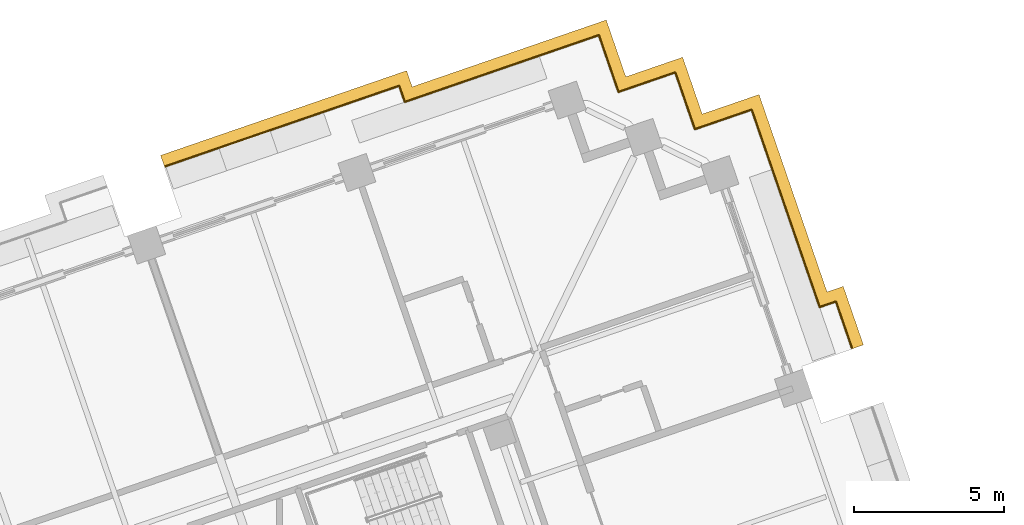
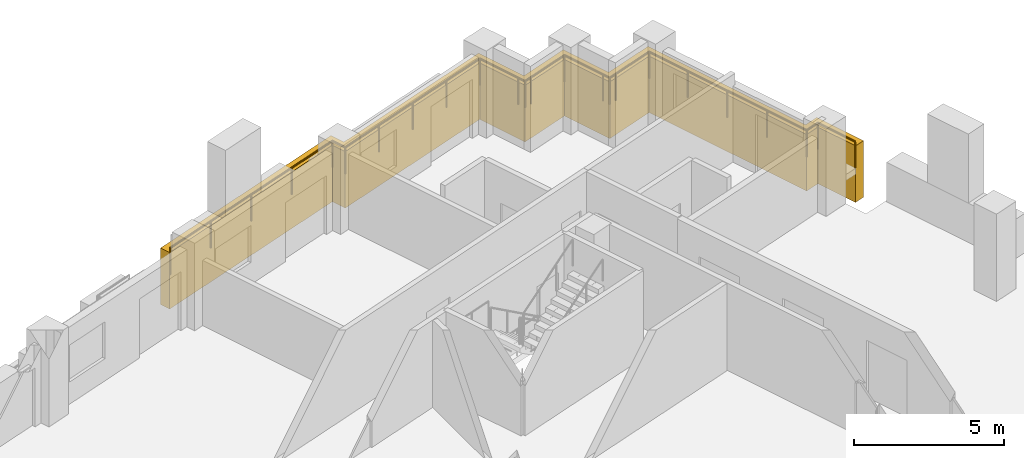
# One storey, part 18 of 19: 2 railings, 1 covering.
"""IFC4 building model written with IfcOpenShell, lengths in metres."""

import ifcopenshell
import ifcopenshell.guid

model = None  # the IFC model being written
_history = None  # IfcOwnerHistory: only IFC2X3 demands one
_inside = {}  # id of a spatial element -> (the spatial element, [elements in it])
_under = {}  # id of a project, library or spatial element -> (it, [spatial elements below it])
_declared = {}  # id of a project -> (the project, [libraries it declares])
_typed = {}  # id of a type object -> (the type object, [elements of that type])
_made_of = {}  # id of a material, layer set ... -> (it, [elements and type objects made of it])


def new_model(schema):
    """Start an empty IFC model of exactly this schema.

    Asked for "IFC4X3", IfcOpenShell would pick the latest addendum, in which some entities
    have other attributes; the version numbers below select the first issue.
    IFC2X3 requires an IfcOwnerHistory on every rooted entity: one is made here for all.
    """
    global model, _history
    if schema == "IFC4X3":
        model = ifcopenshell.file(schema_version=(4, 3, 0, 0))
    else:
        model = ifcopenshell.file(schema=schema)
    _inside.clear()
    _under.clear()
    _declared.clear()
    _typed.clear()
    _made_of.clear()
    _history = None
    if model.schema == "IFC2X3":
        org = make("IfcOrganization", Name="unknown")
        user = make(
            "IfcPersonAndOrganization",
            ThePerson=make("IfcPerson", FamilyName="unknown"),
            TheOrganization=org,
        )
        app = make(
            "IfcApplication",
            ApplicationDeveloper=org,
            Version="unknown",
            ApplicationFullName="unknown",
            ApplicationIdentifier="unknown",
        )
        _history = make(
            "IfcOwnerHistory",
            OwningUser=user,
            OwningApplication=app,
            ChangeAction="ADDED",
            CreationDate=0,
        )
    return model


def make(cls, **values):
    """One entity of the class cls with the attributes given. An attribute that is None is left unset."""
    return model.create_entity(
        cls, **{name: value for name, value in values.items() if value is not None}
    )


def rooted(cls, **values):
    """An entity with a GlobalId (a new one), such as an element, a storey or a relation."""
    return make(cls, GlobalId=ifcopenshell.guid.new(), OwnerHistory=_history, **values)


def si_unit(unit_type, name, prefix=None):
    """IfcSIUnit, for example si_unit("LENGTHUNIT", "METRE", prefix="MILLI")."""
    return make("IfcSIUnit", UnitType=unit_type, Prefix=prefix, Name=name)


def assignment(units):
    """IfcUnitAssignment: the units of a project."""
    return None if units is None else make("IfcUnitAssignment", Units=units)


def point(xyz):
    """IfcCartesianPoint."""
    return None if xyz is None else make("IfcCartesianPoint", Coordinates=xyz)


def direction(xyz):
    """IfcDirection."""
    return None if xyz is None else make("IfcDirection", DirectionRatios=xyz)


def frame(location, z_axis=None, x_axis=None):
    """IfcAxis2Placement3D, a coordinate frame: its origin and axes. An axis left out is left unset."""
    return make(
        "IfcAxis2Placement3D",
        Location=point(location),
        Axis=direction(z_axis),
        RefDirection=direction(x_axis),
    )


def frame_2d(location, x_axis=None):
    """IfcAxis2Placement2D, a coordinate frame in the plane: its origin and x axis."""
    return make(
        "IfcAxis2Placement2D", Location=point(location), RefDirection=direction(x_axis)
    )


def origin():
    """The frame at (0, 0, 0) with its axes left unset."""
    return frame((0.0, 0.0, 0.0))


def origin_2d():
    """The frame at (0, 0) in the plane with its x axis left unset."""
    return frame_2d((0.0, 0.0))


def place(relative_to, where):
    """IfcLocalPlacement: puts the frame where relative to a parent placement (None: the world)."""
    return make(
        "IfcLocalPlacement", PlacementRelTo=relative_to, RelativePlacement=where
    )


def context(
    kind, dimensions, precision=None, world=None, true_north=None, identifier=None
):
    """IfcGeometricRepresentationContext, for example the 3D "Model" context."""
    return make(
        "IfcGeometricRepresentationContext",
        ContextIdentifier=identifier,
        ContextType=kind,
        CoordinateSpaceDimension=dimensions,
        Precision=precision,
        WorldCoordinateSystem=world,
        TrueNorth=true_north,
    )


def subcontext(parent, identifier, kind, view, scale=None):
    """IfcGeometricRepresentationSubContext, for example "Body" below "Model"."""
    return make(
        "IfcGeometricRepresentationSubContext",
        ContextIdentifier=identifier,
        ContextType=kind,
        ParentContext=parent,
        TargetScale=scale,
        TargetView=view,
    )


def project(units=None, contexts=None):
    """IfcProject with its units and contexts."""
    return rooted(
        "IfcProject",
        Name="project",
        RepresentationContexts=contexts,
        UnitsInContext=assignment(units),
    )


def spatial(cls, under=None, at=None, **own):
    """A site, building, storey or space (cls), placed at a placement, below another one or the project."""
    s = rooted(cls, ObjectPlacement=at, **own)
    if under is not None:
        _under.setdefault(under.id(), (under, []))[1].append(s)
    return s


def polyline(points):
    """IfcPolyline through the points."""
    return make("IfcPolyline", Points=[point(p) for p in points])


def profile(cls, at=None, kind="AREA", **sizes):
    """A parametric profile (cls). Its sizes go by their IFC names, for example OverallWidth=200.0."""
    return make(cls, ProfileType=kind, Position=at, **sizes)


def circle(**sizes):
    """IfcCircleProfileDef."""
    return profile("IfcCircleProfileDef", **sizes)


def outline(outer, holes=None, kind="AREA"):
    """IfcArbitraryClosedProfileDef: a profile drawn as a closed curve; with holes, ...WithVoids."""
    if holes is None:
        return make("IfcArbitraryClosedProfileDef", ProfileType=kind, OuterCurve=outer)
    return make(
        "IfcArbitraryProfileDefWithVoids",
        ProfileType=kind,
        OuterCurve=outer,
        InnerCurves=holes,
    )


def extrude(swept, where, along, depth):
    """IfcExtrudedAreaSolid: the profile swept, set in the frame where, extruded along a direction by depth."""
    return make(
        "IfcExtrudedAreaSolid",
        SweptArea=swept,
        Position=where,
        ExtrudedDirection=direction(along),
        Depth=depth,
    )


def shape(context_of_items, identifier, shape_type, items):
    """IfcShapeRepresentation: the items that make up one representation, for example the "Body"."""
    return make(
        "IfcShapeRepresentation",
        ContextOfItems=context_of_items,
        RepresentationIdentifier=identifier,
        RepresentationType=shape_type,
        Items=items,
    )


def material(Name=None, Category=None):
    """IfcMaterial."""
    return make("IfcMaterial", Name=Name, Category=Category)


def made_of(thing, what):
    """Note that an element or type object is made of a material, layer set ...; save() writes the relation."""
    if what is not None:
        _made_of.setdefault(what.id(), (what, []))[1].append(thing)
    return thing


def type_object(cls, material=None, **own):
    """A type object (cls), such as IfcWallType, which elements share."""
    return made_of(rooted(cls, **own), material)


def element(
    cls,
    number,
    at=None,
    inside=None,
    cuts=None,
    type_object=None,
    material=None,
    context=None,
    identifier="Body",
    shape_type=None,
    held_by="IfcProductDefinitionShape",
    body=None,
    shapes=None,
    **own,
):
    """One element of the class cls, such as IfcWall. Its Tag is "e" and its number.

    at: its placement. inside: the storey or other place that contains it. cuts: it is an
    opening in that element (IfcRelVoidsElement). A single representation is given by context,
    identifier, shape_type and body (its items); several are given by shapes. held_by: the class
    of the entity that holds the representations. save() writes the other relations.
    """
    e = rooted(cls, Tag="e%d" % number, ObjectPlacement=at, **own)
    if body is not None:
        shapes = [shape(context, identifier, shape_type, body)]
    if shapes is not None:
        e.Representation = make(held_by, Representations=shapes)
    if inside is not None:
        _inside.setdefault(inside.id(), (inside, []))[1].append(e)
    if cuts is not None:
        rooted(
            "IfcRelVoidsElement", RelatingBuildingElement=cuts, RelatedOpeningElement=e
        )
    if type_object is not None:
        _typed.setdefault(type_object.id(), (type_object, []))[1].append(e)
    return made_of(e, material)


def aggregate(whole, parts):
    """IfcRelAggregates: a whole, such as a stair, and the parts it consists of."""
    return rooted("IfcRelAggregates", RelatingObject=whole, RelatedObjects=parts)


def save(model, path):
    """Write the relations noted so far, then the file.

    IfcRelAggregates (storeys below a building ...), IfcRelContainedInSpatialStructure (elements
    in a storey), IfcRelDefinesByType, IfcRelAssociatesMaterial and IfcRelDeclares: one each for
    every whole, place, type object, material and project.
    """
    for whole, parts in _under.values():
        aggregate(whole, parts)
    for where, things in _inside.values():
        rooted(
            "IfcRelContainedInSpatialStructure",
            RelatedElements=things,
            RelatingStructure=where,
        )
    for kind, things in _typed.values():
        rooted("IfcRelDefinesByType", RelatedObjects=things, RelatingType=kind)
    for what, things in _made_of.values():
        rooted("IfcRelAssociatesMaterial", RelatedObjects=things, RelatingMaterial=what)
    for by, libraries in _declared.values():
        rooted("IfcRelDeclares", RelatingContext=by, RelatedDefinitions=libraries)
    model.write(path)


model = new_model("IFC4")

# Units and contexts
model_context = context("Model", 3, precision=1e-05, world=origin(), true_north=direction((0.0, 1.0)))
body_context = subcontext(model_context, "Body", "Model", "MODEL_VIEW")
ifc_project = project(units=[si_unit("LENGTHUNIT", "METRE"), si_unit("AREAUNIT", "SQUARE_METRE"), si_unit("VOLUMEUNIT", "CUBIC_METRE"), si_unit("PLANEANGLEUNIT", "RADIAN"), si_unit("MASSUNIT", "GRAM", prefix="KILO")], contexts=[model_context])

# Site, building, storey
site_placement = place(None, origin())
site = spatial("IfcSite", under=ifc_project, at=site_placement, CompositionType="ELEMENT")
building_placement = place(site_placement, origin())
building = spatial("IfcBuilding", under=site, at=building_placement, Name="Cantera Rosa Tower", CompositionType="ELEMENT")
storey_placement = place(building_placement, frame((0.0, 0.0, 123.10009765625)))
storey = spatial("IfcBuildingStorey", under=building, at=storey_placement, Name="L25", CompositionType="ELEMENT", Elevation=123.10009765625)

# Railings
ifc_material_1 = material(Name="Stainless steel and laminated glass", Category="steel")
railing_type = type_object("IfcRailingType", Name="GUARD 1100", PredefinedType="BALUSTRADE", material=ifc_material_1)
railing_1_placement = place(storey_placement, frame((19.705810546875, 28.466552734375, 0.0)))
element("IfcRailing", 1, at=railing_1_placement, inside=storey, type_object=railing_type, Name="GUARD L25-13", PredefinedType="BALUSTRADE", context=body_context, shape_type="SweptSolid", body=[
    extrude(circle(Radius=0.030029296875, at=origin_2d()), frame((0.0, 0.0, 1.070068359375), z_axis=(0.325561349174, -0.945520918819, 0.0), x_axis=(0.945520918819, 0.325561349174, 0.0)), (0.0, 0.0, 1.0), 1.699951171875),
    extrude(circle(Radius=0.030029296875, at=origin_2d()), frame((0.553466796875, -1.607421875, 1.070068359375), z_axis=(0.325547706926, -0.945525616002, 0.0), x_axis=(0.945525616002, 0.325547706926, 0.0)), (0.0, 0.0, 1.0), 5.248779296875),
    extrude(circle(Radius=0.030029296875, at=origin_2d()), frame((2.26220703125, -6.5703125, 1.070068359375), z_axis=(0.945518182111, 0.325569297229, 0.0), x_axis=(-0.325569297229, 0.945518182111, 0.0)), (0.0, 0.0, 1.0), 0.571533203125),
    extrude(circle(Radius=0.030029296875, at=origin_2d()), frame((2.802490234375, -6.38427734375, 1.070068359375), z_axis=(0.325495496573, -0.945543590593, 0.0), x_axis=(0.945543590593, 0.325495496573, 0.0)), (0.0, 0.0, 1.0), 1.64111328125),
    extrude(circle(Radius=0.02490234375, at=origin_2d()), origin(), (0.0, 0.0, 1.0), 1.0400390625),
    extrude(circle(Radius=0.02490234375, at=origin_2d()), frame((0.553466796875, -1.607421875, 0.0)), (0.0, 0.0, 1.0), 1.0400390625),
    extrude(circle(Radius=0.02490234375, at=origin_2d()), frame((1.123046875, -3.26171875, 0.0)), (0.0, 0.0, 1.0), 1.0400390625),
    extrude(circle(Radius=0.02490234375, at=origin_2d()), frame((1.692626953125, -4.916015625, 0.0)), (0.0, 0.0, 1.0), 1.0400390625),
    extrude(circle(Radius=0.02490234375, at=origin_2d()), frame((2.26220703125, -6.5703125, 0.0)), (0.0, 0.0, 1.0), 1.0400390625),
    extrude(circle(Radius=0.02490234375, at=origin_2d()), frame((2.802490234375, -6.38427734375, 0.0)), (0.0, 0.0, 1.0), 1.0400390625),
    extrude(circle(Radius=0.02490234375, at=origin_2d()), frame((3.336669921875, -7.93603515625, 0.0)), (0.0, 0.0, 1.0), 1.0400390625),
])
railing_2_placement = place(storey_placement, frame((0.187255859375, 26.57763671875, 0.0)))
element("IfcRailing", 2, at=railing_2_placement, inside=storey, type_object=railing_type, Name="GUARD L25-14", PredefinedType="BALUSTRADE", context=body_context, shape_type="SweptSolid", body=[
    extrude(circle(Radius=0.030029296875, at=origin_2d()), frame((0.0, 0.0, 1.070068359375), z_axis=(0.945522782274, 0.325555937132, 0.0), x_axis=(-0.325555937132, 0.945522782274, 0.0)), (0.0, 0.0, 1.0), 8.238525390625),
    extrude(circle(Radius=0.030029296875, at=origin_2d()), frame((7.789794921875, 2.68212890625, 1.070068359375), z_axis=(0.325871596129, -0.945414037782, 0.0), x_axis=(0.945414037782, 0.325871596129, 0.0)), (0.0, 0.0, 1.0), 0.568603515625),
    extrude(circle(Radius=0.030029296875, at=origin_2d()), frame((7.97509765625, 2.14453125, 1.070068359375), z_axis=(0.945515978241, 0.325575697635, 0.0), x_axis=(-0.325575697635, 0.945515978241, 0.0)), (0.0, 0.0, 1.0), 5.13134765625),
    extrude(circle(Radius=0.030029296875, at=origin_2d()), frame((12.826904296875, 3.815185546875, 1.070068359375), z_axis=(0.945520918819, 0.325561349174, 0.0), x_axis=(-0.325561349174, 0.945520918819, 0.0)), (0.0, 0.0, 1.0), 1.699951171875),
    extrude(circle(Radius=0.030029296875, at=origin_2d()), frame((14.434326171875, 4.36865234375, 1.070068359375), z_axis=(0.325561349174, -0.945520918819, 0.0), x_axis=(0.945520918819, 0.325561349174, 0.0)), (0.0, 0.0, 1.0), 1.699951171875),
    extrude(circle(Radius=0.030029296875, at=origin_2d()), frame((14.98779296875, 2.76123046875, 1.070068359375), z_axis=(0.325489086777, -0.945545797087, 0.0), x_axis=(0.945545797087, 0.325489086777, 0.0)), (0.0, 0.0, 1.0), 0.300048828125),
    extrude(circle(Radius=0.030029296875, at=origin_2d()), frame((15.08544921875, 2.4775390625, 1.070068359375), z_axis=(0.945459489149, 0.325739703411, 0.0), x_axis=(-0.325739703411, 0.945459489149, 0.0)), (0.0, 0.0, 1.0), 0.2998046875),
    extrude(circle(Radius=0.030029296875, at=origin_2d()), frame((15.368896484375, 2.5751953125, 1.070068359375), z_axis=(0.945520918819, 0.325561349174, 0.0), x_axis=(-0.325561349174, 0.945520918819, 0.0)), (0.0, 0.0, 1.0), 1.699951171875),
    extrude(circle(Radius=0.030029296875, at=origin_2d()), frame((16.976318359375, 3.128662109375, 1.070068359375), z_axis=(0.325605561237, -0.945505694584, 0.0), x_axis=(0.945505694584, 0.325605561237, 0.0)), (0.0, 0.0, 1.0), 1.69970703125),
    extrude(circle(Radius=0.030029296875, at=origin_2d()), frame((17.52978515625, 1.521484375, 1.070068359375), z_axis=(0.325489086777, -0.945545797087, 0.0), x_axis=(0.945545797087, 0.325489086777, 0.0)), (0.0, 0.0, 1.0), 0.300048828125),
    extrude(circle(Radius=0.030029296875, at=origin_2d()), frame((17.62744140625, 1.23779296875, 1.070068359375), z_axis=(0.945545797087, 0.325489086777, 0.0), x_axis=(-0.325489086777, 0.945545797087, 0.0)), (0.0, 0.0, 1.0), 0.300048828125),
    extrude(circle(Radius=0.030029296875, at=origin_2d()), frame((17.9111328125, 1.33544921875, 1.070068359375), z_axis=(0.945520918819, 0.325561349174, 0.0), x_axis=(-0.325561349174, 0.945520918819, 0.0)), (0.0, 0.0, 1.0), 1.699951171875),
    extrude(circle(Radius=0.02490234375, at=origin_2d()), origin(), (0.0, 0.0, 1.0), 1.0400390625),
    extrude(circle(Radius=0.02490234375, at=origin_2d()), frame((1.947509765625, 0.67041015625, 0.0)), (0.0, 0.0, 1.0), 1.0400390625),
    extrude(circle(Radius=0.02490234375, at=origin_2d()), frame((3.89501953125, 1.341064453125, 0.0)), (0.0, 0.0, 1.0), 1.0400390625),
    extrude(circle(Radius=0.02490234375, at=origin_2d()), frame((5.84228515625, 2.01171875, 0.0)), (0.0, 0.0, 1.0), 1.0400390625),
    extrude(circle(Radius=0.02490234375, at=origin_2d()), frame((7.789794921875, 2.68212890625, 0.0)), (0.0, 0.0, 1.0), 1.0400390625),
    extrude(circle(Radius=0.02490234375, at=origin_2d()), frame((7.97509765625, 2.14453125, 0.0)), (0.0, 0.0, 1.0), 1.0400390625),
    extrude(circle(Radius=0.02490234375, at=origin_2d()), frame((9.59228515625, 2.701416015625, 0.0)), (0.0, 0.0, 1.0), 1.0400390625),
    extrude(circle(Radius=0.02490234375, at=origin_2d()), frame((11.209716796875, 3.25830078125, 0.0)), (0.0, 0.0, 1.0), 1.0400390625),
    extrude(circle(Radius=0.02490234375, at=origin_2d()), frame((12.826904296875, 3.815185546875, 0.0)), (0.0, 0.0, 1.0), 1.0400390625),
    extrude(circle(Radius=0.02490234375, at=origin_2d()), frame((14.434326171875, 4.36865234375, 0.0)), (0.0, 0.0, 1.0), 1.0400390625),
    extrude(circle(Radius=0.02490234375, at=origin_2d()), frame((14.98779296875, 2.76123046875, 0.0)), (0.0, 0.0, 1.0), 1.0400390625),
    extrude(circle(Radius=0.02490234375, at=origin_2d()), frame((15.08544921875, 2.4775390625, 0.0)), (0.0, 0.0, 1.0), 1.0400390625),
    extrude(circle(Radius=0.02490234375, at=origin_2d()), frame((15.368896484375, 2.5751953125, 0.0)), (0.0, 0.0, 1.0), 1.0400390625),
    extrude(circle(Radius=0.02490234375, at=origin_2d()), frame((16.976318359375, 3.128662109375, 0.0)), (0.0, 0.0, 1.0), 1.0400390625),
    extrude(circle(Radius=0.02490234375, at=origin_2d()), frame((17.52978515625, 1.521484375, 0.0)), (0.0, 0.0, 1.0), 1.0400390625),
    extrude(circle(Radius=0.02490234375, at=origin_2d()), frame((17.62744140625, 1.23779296875, 0.0)), (0.0, 0.0, 1.0), 1.0400390625),
    extrude(circle(Radius=0.02490234375, at=origin_2d()), frame((17.9111328125, 1.33544921875, 0.0)), (0.0, 0.0, 1.0), 1.0400390625),
    extrude(circle(Radius=0.02490234375, at=origin_2d()), frame((19.5185546875, 1.888916015625, 0.0)), (0.0, 0.0, 1.0), 1.0400390625),
])

# Covering
ifc_material_2 = material(Name="Cantera stone", Category="masonry")
covering_type = type_object("IfcCoveringType", Name="TRAY FASCIA 400", PredefinedType="CLADDING", material=ifc_material_2)
covering_placement = place(storey_placement, frame((0.0, 0.0, -1.400146484375)))
element("IfcCovering", 3, at=covering_placement, inside=storey, type_object=covering_type, Name="TRAY FASCIA L25-06", PredefinedType="CLADDING", context=body_context, shape_type="SweptSolid", body=[
    extrude(outline(polyline([(8.22509765625, 29.768310546875), (8.410400390625, 29.230712890625), (12.8837890625, 30.77099609375), (14.869384765625, 31.454833984375), (15.5205078125, 29.563720703125), (17.41162109375, 30.21484375), (18.062744140625, 28.32373046875), (19.953857421875, 28.974853515625), (20.637451171875, 26.9892578125), (22.216064453125, 22.40478515625), (22.756103515625, 22.590576171875), (23.42724609375, 20.641845703125), (23.049072265625, 20.511474609375), (22.50830078125, 22.082275390625), (21.968017578125, 21.896240234375), (20.25927734375, 26.859130859375), (19.705810546875, 28.466552734375), (18.098388671875, 27.9130859375), (17.814697265625, 27.8154296875), (17.717041015625, 28.09912109375), (17.16357421875, 29.706298828125), (15.55615234375, 29.15283203125), (15.272705078125, 29.05517578125), (15.175048828125, 29.3388671875), (14.62158203125, 30.9462890625), (13.01416015625, 30.392822265625), (8.162353515625, 28.72216796875), (7.97705078125, 29.259765625), (0.16845703125, 26.571044921875), (0.038330078125, 26.94921875), (8.22509765625, 29.768310546875)])), origin(), (0.0, 0.0, 1.0), 2.300048828125),
])

save(model, "model.ifc")
